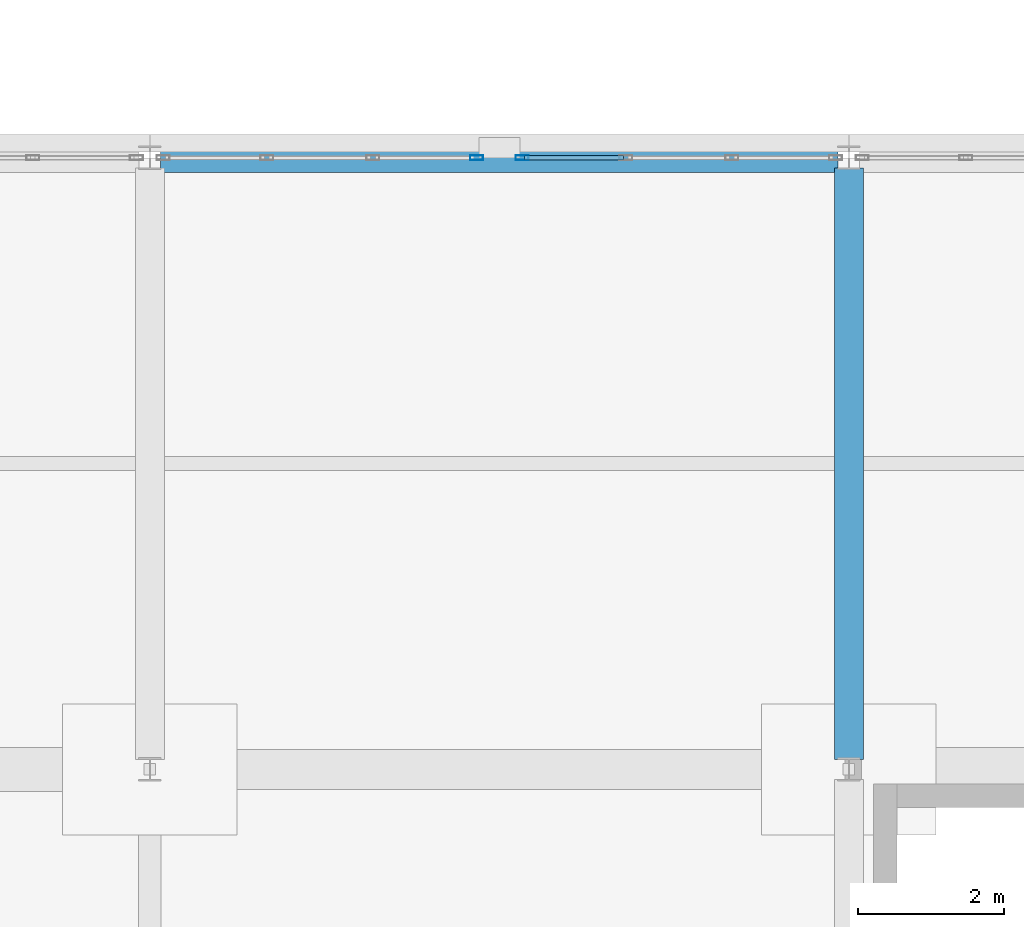
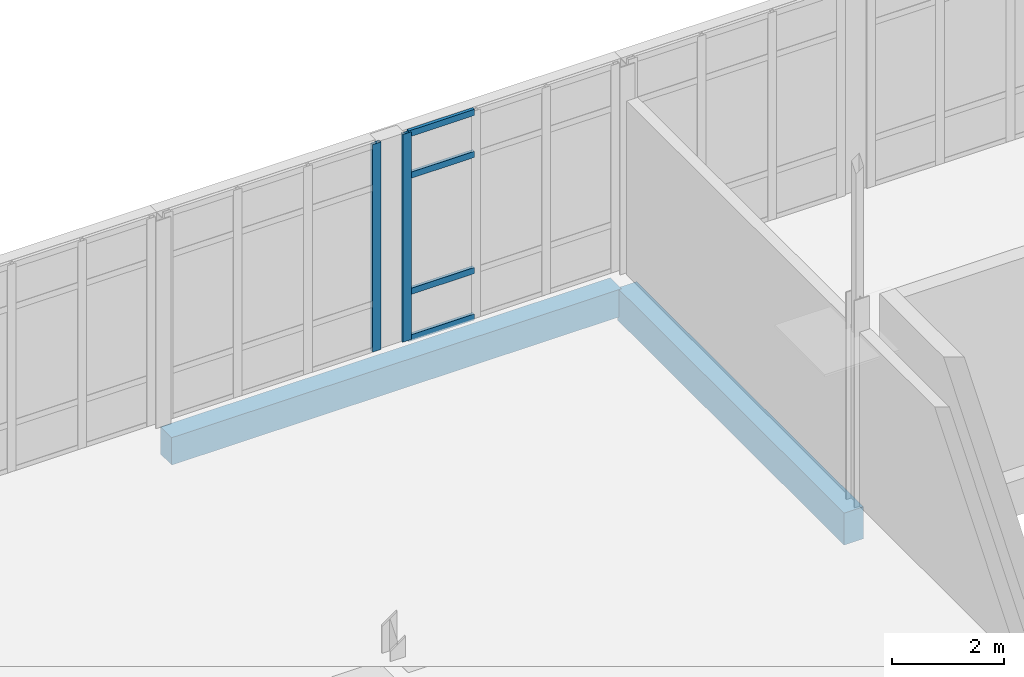
# One storey, part 13 of 88: 6 members, 2 beams, 2 elements without a shape of their own.
"""IFC4 building model written with IfcOpenShell, lengths in metres."""

from ifc_helpers import new_model, si_unit, direction, frame, origin, origin_2d, place, context, subcontext, project, spatial, rectangle, hollow_rectangle, extrude, material, layer, layer_set, material_profile, profile_set, type_object, element, aggregate, save


model = new_model("IFC4")

# Units and contexts
model_context = context("Model", 3, precision=1e-05, world=origin(), true_north=direction((0.0, 1.0)))
body_context = subcontext(model_context, "Body", "Model", "MODEL_VIEW")
ifc_project = project(units=[si_unit("LENGTHUNIT", "METRE"), si_unit("AREAUNIT", "SQUARE_METRE"), si_unit("VOLUMEUNIT", "CUBIC_METRE"), si_unit("PLANEANGLEUNIT", "RADIAN"), si_unit("MASSUNIT", "GRAM", prefix="KILO")], contexts=[model_context])

# Site, building, storey
site_placement = place(None, origin())
site = spatial("IfcSite", under=ifc_project, at=site_placement, CompositionType="ELEMENT")
building_placement = place(site_placement, origin())
building = spatial("IfcBuilding", under=site, at=building_placement, Name="Lornevale Opera House", CompositionType="ELEMENT")
storey_placement = place(building_placement, frame((0.0, 0.0, 10.199951171875)))
storey = spatial("IfcBuildingStorey", under=building, at=storey_placement, Name="L03", CompositionType="ELEMENT", Elevation=10.199951171875)

# Beams
ifc_material_1 = material(Name="Concrete 35 MPa (CSA A23.1 N)", Category="concrete")
ifc_material_profile_1 = material_profile(ifc_material_1, rectangle(XDim=0.39990234375, YDim=0.699951171875, at=origin_2d()), Name="RC400x700")
ifc_profile_set_1 = profile_set([ifc_material_profile_1], Name="Concrete 35 MPa (CSA A23.1 N)")
beam_type_1 = type_object("IfcBeamType", Name="Concrete Floor Beam 400x700", PredefinedType="USERDEFINED", material=ifc_profile_set_1)
beam_1_placement = place(storey_placement, frame((19.199951171875, 16.9375, -0.6298828125), z_axis=(0.0, 1.0, 0.0), x_axis=(-1.0, 0.0, 0.0)))
element("IfcBeam", 1, at=beam_1_placement, inside=storey, type_object=beam_type_1, Name="Concrete Floor Beam 400x700 2240", ObjectType="GIRDER", PredefinedType="USERDEFINED", context=body_context, shape_type="SweptSolid", body=[
    extrude(rectangle(XDim=0.39990234375, YDim=0.699951171875, at=origin_2d()), origin(), (0.0, 0.0, 1.0), 8.125),
])
ifc_material_profile_2 = material_profile(ifc_material_1, rectangle(XDim=0.39990234375, YDim=0.60009765625, at=origin_2d()), Name="RC400x600")
ifc_profile_set_2 = profile_set([ifc_material_profile_2], Name="Concrete 35 MPa (CSA A23.1 N)")
beam_type_2 = type_object("IfcBeamType", Name="Concrete Spandrel Beam 400x600", PredefinedType="SPANDREL", material=ifc_profile_set_2)
beam_2_placement = place(storey_placement, frame((9.7470703125, 25.199951171875, -0.579833984375), z_axis=(1.0, 0.0, 0.0), x_axis=(0.0, 1.0, 0.0)))
element("IfcBeam", 2, at=beam_2_placement, inside=storey, type_object=beam_type_2, Name="Concrete Spandrel Beam 400x600 2105", PredefinedType="SPANDREL", context=body_context, shape_type="SweptSolid", body=[
    extrude(rectangle(XDim=0.39990234375, YDim=0.60009765625, at=origin_2d()), origin(), (0.0, 0.0, 1.0), 9.305908203125),
])

# Curtain wall, member
ifc_material_2 = material(Name="Anodized Oxide-Green Aluminium Framing", Category="aluminium")
ifc_layer = layer(ifc_material_2, 0.175048828125)
ifc_layer_set = layer_set([ifc_layer], Name="Anodized Oxide-Green Aluminium Framing")
curtain_wall_type = type_object("IfcCurtainWallType", Name="Chamber Cloister Curtain Wall M1700", PredefinedType="NOTDEFINED", material=ifc_layer_set)
curtain_wall_1_placement = place(storey_placement, origin())
curtain_wall_1 = element("IfcCurtainWall", 3, at=curtain_wall_1_placement, inside=storey, type_object=curtain_wall_type, Name="Chamber Cloister Curtain Wall M1700 CW-102", PredefinedType="NOTDEFINED")
ifc_material_profile_3 = material_profile(ifc_material_2, hollow_rectangle(XDim=0.06494140625, YDim=0.179931640625, WallThickness=0.0048828125, at=origin_2d()), Name="ALU65x180x5")
ifc_profile_set_3 = profile_set([ifc_material_profile_3], Name="Anodized Oxide-Green Aluminium Framing")
member_type_1 = type_object("IfcMemberType", Name="Curtain Wall Mullion 65x180", PredefinedType="MULLION", material=ifc_profile_set_3)
member_1_placement = place(storey_placement, frame((14.08740234375, 25.199951171875, 0.0), z_axis=(0.0, 0.0, 1.0), x_axis=(0.0, 1.0, 0.0)))
member_1 = element("IfcMember", 4, at=member_1_placement, type_object=member_type_1, Name="Curtain Wall Mullion 65x180 CW2073", PredefinedType="MULLION", context=body_context, shape_type="SweptSolid", body=[
    extrude(hollow_rectangle(XDim=0.06494140625, YDim=0.179931640625, WallThickness=0.0048828125, at=origin_2d()), origin(), (0.0, 0.0, 1.0), 4.5400390625),
])
aggregate(curtain_wall_1, [member_1])

# Curtain wall, members
curtain_wall_2_placement = place(storey_placement, origin())
curtain_wall_2 = element("IfcCurtainWall", 5, at=curtain_wall_2_placement, inside=storey, type_object=curtain_wall_type, Name="Chamber Cloister Curtain Wall M1700 CW-103", PredefinedType="NOTDEFINED")
member_2_placement = place(storey_placement, frame((14.71240234375, 25.199951171875, 0.0), z_axis=(0.0, 0.0, 1.0), x_axis=(0.0, 1.0, 0.0)))
member_2 = element("IfcMember", 6, at=member_2_placement, type_object=member_type_1, Name="Curtain Wall Mullion 65x180 CW2095", PredefinedType="MULLION", context=body_context, shape_type="SweptSolid", body=[
    extrude(hollow_rectangle(XDim=0.06494140625, YDim=0.179931640625, WallThickness=0.0048828125, at=origin_2d()), origin(), (0.0, 0.0, 1.0), 4.5400390625),
])
ifc_material_profile_4 = material_profile(ifc_material_2, hollow_rectangle(XDim=0.06494140625, YDim=0.135009765625, WallThickness=0.00390625, at=origin_2d()), Name="ALU65x135x4")
ifc_profile_set_4 = profile_set([ifc_material_profile_4], Name="Anodized Oxide-Green Aluminium Framing")
member_type_2 = type_object("IfcMemberType", Name="Curtain Wall Transom 65x135", PredefinedType="USERDEFINED", material=ifc_profile_set_4)
member_3_placement = place(storey_placement, frame((14.7451171875, 25.199951171875, 0.032470703125), z_axis=(1.0, 0.0, 0.0), x_axis=(0.0, 1.0, 0.0)))
member_3 = element("IfcMember", 7, at=member_3_placement, type_object=member_type_2, Name="Curtain Wall Transom 65x135 CW2099", ObjectType="TRANSOM", PredefinedType="USERDEFINED", context=body_context, shape_type="SweptSolid", body=[
    extrude(hollow_rectangle(XDim=0.06494140625, YDim=0.135009765625, WallThickness=0.00390625, at=origin_2d()), origin(), (0.0, 0.0, 1.0), 1.35888671875),
])
member_4_placement = place(storey_placement, frame((14.7451171875, 25.199951171875, 1.050048828125), z_axis=(1.0, 0.0, 0.0), x_axis=(0.0, 1.0, 0.0)))
member_4 = element("IfcMember", 8, at=member_4_placement, type_object=member_type_2, Name="Curtain Wall Transom 65x135 CW2100", ObjectType="TRANSOM", PredefinedType="USERDEFINED", context=body_context, shape_type="SweptSolid", body=[
    extrude(hollow_rectangle(XDim=0.06494140625, YDim=0.135009765625, WallThickness=0.00390625, at=origin_2d()), origin(), (0.0, 0.0, 1.0), 1.35888671875),
])
member_5_placement = place(storey_placement, frame((14.7451171875, 25.199951171875, 3.590087890625), z_axis=(1.0, 0.0, 0.0), x_axis=(0.0, 1.0, 0.0)))
member_5 = element("IfcMember", 9, at=member_5_placement, type_object=member_type_2, Name="Curtain Wall Transom 65x135 CW2101", ObjectType="TRANSOM", PredefinedType="USERDEFINED", context=body_context, shape_type="SweptSolid", body=[
    extrude(hollow_rectangle(XDim=0.06494140625, YDim=0.135009765625, WallThickness=0.00390625, at=origin_2d()), origin(), (0.0, 0.0, 1.0), 1.35888671875),
])
member_6_placement = place(storey_placement, frame((14.7451171875, 25.199951171875, 4.507568359375), z_axis=(1.0, 0.0, 0.0), x_axis=(0.0, 1.0, 0.0)))
member_6 = element("IfcMember", 10, at=member_6_placement, type_object=member_type_2, Name="Curtain Wall Transom 65x135 CW2102", ObjectType="TRANSOM", PredefinedType="USERDEFINED", context=body_context, shape_type="SweptSolid", body=[
    extrude(hollow_rectangle(XDim=0.06494140625, YDim=0.135009765625, WallThickness=0.00390625, at=origin_2d()), origin(), (0.0, 0.0, 1.0), 1.35888671875),
])
aggregate(curtain_wall_2, [member_2, member_3, member_4, member_5, member_6])

save(model, "model.ifc")
